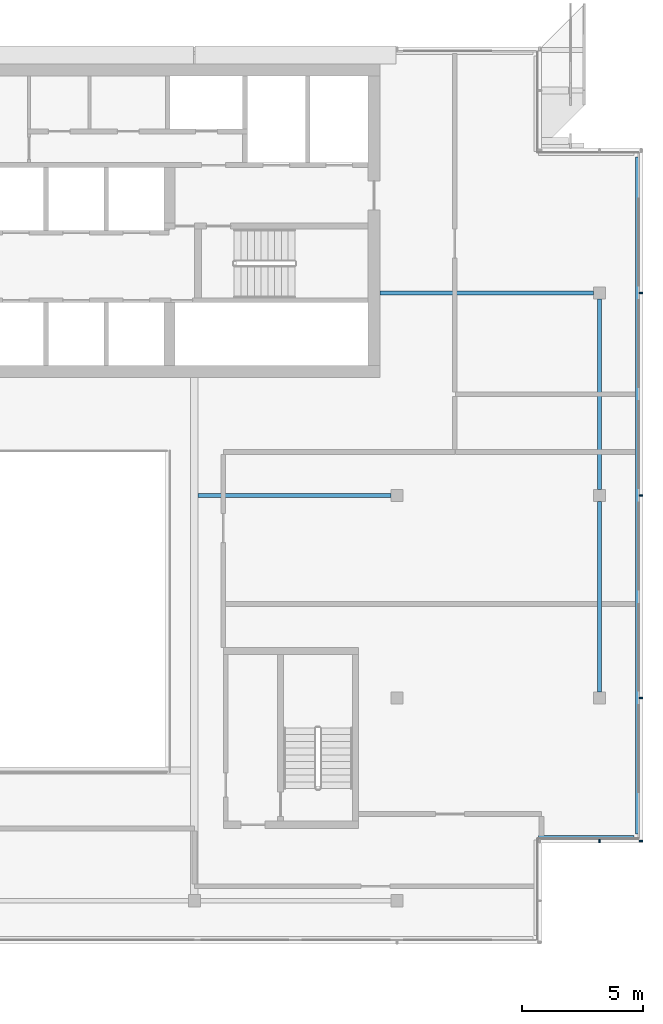
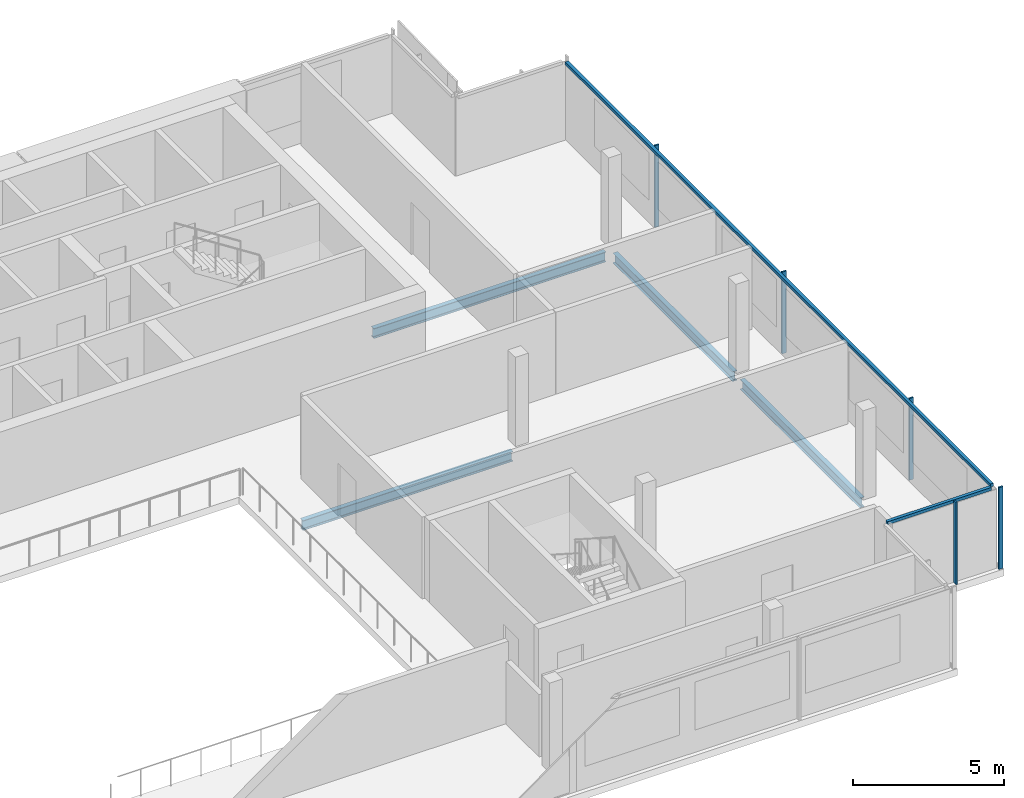
# One storey, part 6 of 19: 7 members, 4 beams, 2 elements without a shape of their own.
"""IFC4 building model written with IfcOpenShell, lengths in metres."""

from ifc_helpers import new_model, si_unit, direction, frame, origin, origin_2d, place, context, subcontext, project, spatial, rectangle, i_section, extrude, material, material_profile, profile_set, type_object, element, aggregate, save


model = new_model("IFC4")

# Units and contexts
model_context = context("Model", 3, precision=1e-05, world=origin(), true_north=direction((0.0, 1.0)))
body_context = subcontext(model_context, "Body", "Model", "MODEL_VIEW")
ifc_project = project(units=[si_unit("LENGTHUNIT", "METRE"), si_unit("AREAUNIT", "SQUARE_METRE"), si_unit("VOLUMEUNIT", "CUBIC_METRE"), si_unit("PLANEANGLEUNIT", "RADIAN"), si_unit("MASSUNIT", "GRAM", prefix="KILO")], contexts=[model_context])

# Site, building, storey
site_placement = place(None, origin())
site = spatial("IfcSite", under=ifc_project, at=site_placement, CompositionType="ELEMENT")
building_placement = place(site_placement, origin())
building = spatial("IfcBuilding", under=site, at=building_placement, Name="Saffron Gate Tower", CompositionType="ELEMENT")
storey_placement = place(building_placement, frame((0.0, 0.0, 306.75)))
storey = spatial("IfcBuildingStorey", under=building, at=storey_placement, Name="L75", CompositionType="ELEMENT", Elevation=306.75)

# Beams
ifc_material_1 = material(Name="Structural steel S355", Category="steel")
ifc_material_profile_1 = material_profile(ifc_material_1, i_section(OverallWidth=0.179931640625, OverallDepth=0.39990234375, WebThickness=0.008544921875, FlangeThickness=0.013427734375, FilletRadius=0.02099609375, at=origin_2d()))
ifc_profile_set_1 = profile_set([ifc_material_profile_1], Name="Structural steel S355")
beam_type_1 = type_object("IfcBeamType", Name="B4 IPE 400", PredefinedType="BEAM", material=ifc_profile_set_1)
beam_1_placement = place(storey_placement, frame((108.35009765625, 57.0, -0.47998046875), z_axis=(-1.0, 0.0, 0.0), x_axis=(0.0, -1.0, 0.0)))
element("IfcBeam", 1, at=beam_1_placement, inside=storey, type_object=beam_type_1, Name="B4 CORE TIE BEAM", PredefinedType="BEAM", context=body_context, shape_type="SweptSolid", body=[
    extrude(i_section(OverallWidth=0.179931640625, OverallDepth=0.39990234375, WebThickness=0.008544921875, FlangeThickness=0.013427734375, FilletRadius=0.02099609375, at=origin_2d()), origin(), (0.0, 0.0, 1.0), 8.0),
])
beam_2_placement = place(storey_placement, frame((116.75, 65.39990234375, -0.47998046875), z_axis=(-1.0, 0.0, 0.0), x_axis=(0.0, -1.0, 0.0)))
element("IfcBeam", 2, at=beam_2_placement, inside=storey, type_object=beam_type_1, Name="B4 CORE TIE BEAM", PredefinedType="BEAM", context=body_context, shape_type="SweptSolid", body=[
    extrude(i_section(OverallWidth=0.179931640625, OverallDepth=0.39990234375, WebThickness=0.008544921875, FlangeThickness=0.013427734375, FilletRadius=0.02099609375, at=origin_2d()), origin(), (0.0, 0.0, 1.0), 8.85009765625),
])
ifc_material_profile_2 = material_profile(ifc_material_1, i_section(OverallWidth=0.179931640625, OverallDepth=0.39990234375, WebThickness=0.008544921875, FlangeThickness=0.013427734375, FilletRadius=0.02099609375, at=origin_2d()))
ifc_profile_set_2 = profile_set([ifc_material_profile_2], Name="Structural steel S355")
beam_type_2 = type_object("IfcBeamType", Name="B5 IPE 400", PredefinedType="SPANDREL", material=ifc_profile_set_2)
for number, where, z_axis, x_axis, name in (
    (3, (117.0, 48.85009765625, -0.47998046875), (0.0, 1.0, 0.0), (-1.0, 0.0, 0.0), "B5 SPANDREL BEAM"),
    (4, (117.0, 57.25, -0.47998046875), (0.0, 1.0, 0.0), (-1.0, 0.0, 0.0), "B5 SPANDREL BEAM"),
):
    element("IfcBeam", number, at=place(storey_placement, frame(where, z_axis=z_axis, x_axis=x_axis)), inside=storey, type_object=beam_type_2, Name=name, PredefinedType="SPANDREL", context=body_context, shape_type="SweptSolid", body=[
        extrude(i_section(OverallWidth=0.179931640625, OverallDepth=0.39990234375, WebThickness=0.008544921875, FlangeThickness=0.013427734375, FilletRadius=0.02099609375, at=origin_2d()), origin(), (0.0, 0.0, 1.0), 7.89990234375),
    ])

# Curtain wall, members
ifc_material_2 = material(Name="Aluminium, bronze anodised", Category="aluminium")
curtain_wall_type_1 = type_object("IfcCurtainWallType", Name="CWS2 curtain wall side facades", PredefinedType="NOTDEFINED", material=ifc_material_2)
curtain_wall_1_placement = place(storey_placement, origin())
curtain_wall_1 = element("IfcCurtainWall", 5, at=curtain_wall_1_placement, inside=storey, type_object=curtain_wall_type_1, Name="CWS2 run 4", PredefinedType="NOTDEFINED")
ifc_material_profile_3 = material_profile(ifc_material_2, rectangle(XDim=0.1201171875, YDim=0.1201171875, at=origin_2d()))
ifc_profile_set_3 = profile_set([ifc_material_profile_3], Name="Aluminium, bronze anodised")
member_type_1 = type_object("IfcMemberType", Name="CWS2 head transom", PredefinedType="USERDEFINED", material=ifc_profile_set_3)
member_1_placement = place(storey_placement, frame((118.552001953125, 42.968017578125, 3.239990234375), z_axis=(0.0, 1.0, 0.0), x_axis=(-1.0, 0.0, 0.0)))
member_1 = element("IfcMember", 6, at=member_1_placement, type_object=member_type_1, Name="CWS2 head transom", ObjectType="TRANSOM", PredefinedType="USERDEFINED", context=body_context, shape_type="SweptSolid", body=[
    extrude(rectangle(XDim=0.1201171875, YDim=0.1201171875, at=origin_2d()), origin(), (0.0, 0.0, 1.0), 28.06396484375),
])
ifc_material_profile_4 = material_profile(ifc_material_2, rectangle(XDim=0.159912109375, YDim=0.06005859375, at=origin_2d()))
ifc_profile_set_4 = profile_set([ifc_material_profile_4], Name="Aluminium, bronze anodised")
member_type_2 = type_object("IfcMemberType", Name="CWS2 mullion 60x160", PredefinedType="MULLION", material=ifc_profile_set_4)
member_2_placement = place(storey_placement, frame((118.719970703125, 42.679931640625, 0.0), z_axis=(0.0, 0.0, 1.0), x_axis=(-1.0, 0.0, 0.0)))
member_2 = element("IfcMember", 7, at=member_2_placement, type_object=member_type_2, Name="CWS2 mullion 1", PredefinedType="MULLION", context=body_context, shape_type="SweptSolid", body=[
    extrude(rectangle(XDim=0.159912109375, YDim=0.06005859375, at=origin_2d()), origin(), (0.0, 0.0, 1.0), 3.300048828125),
])
member_3_placement = place(storey_placement, frame((118.719970703125, 48.60009765625, 0.0), z_axis=(0.0, 0.0, 1.0), x_axis=(-1.0, 0.0, 0.0)))
member_3 = element("IfcMember", 8, at=member_3_placement, type_object=member_type_2, Name="CWS2 mullion 2", PredefinedType="MULLION", context=body_context, shape_type="SweptSolid", body=[
    extrude(rectangle(XDim=0.159912109375, YDim=0.06005859375, at=origin_2d()), origin(), (0.0, 0.0, 1.0), 3.300048828125),
])
member_4_placement = place(storey_placement, frame((118.719970703125, 57.0, 0.0), z_axis=(0.0, 0.0, 1.0), x_axis=(-1.0, 0.0, 0.0)))
member_4 = element("IfcMember", 9, at=member_4_placement, type_object=member_type_2, Name="CWS2 mullion 3", PredefinedType="MULLION", context=body_context, shape_type="SweptSolid", body=[
    extrude(rectangle(XDim=0.159912109375, YDim=0.06005859375, at=origin_2d()), origin(), (0.0, 0.0, 1.0), 3.300048828125),
])
member_5_placement = place(storey_placement, frame((118.719970703125, 65.39990234375, 0.0), z_axis=(0.0, 0.0, 1.0), x_axis=(-1.0, 0.0, 0.0)))
member_5 = element("IfcMember", 10, at=member_5_placement, type_object=member_type_2, Name="CWS2 mullion 4", PredefinedType="MULLION", context=body_context, shape_type="SweptSolid", body=[
    extrude(rectangle(XDim=0.159912109375, YDim=0.06005859375, at=origin_2d()), origin(), (0.0, 0.0, 1.0), 3.300048828125),
])
aggregate(curtain_wall_1, [member_2, member_3, member_4, member_5, member_1])

curtain_wall_type_2 = type_object("IfcCurtainWallType", Name="CWS4 curtain wall corner returns", PredefinedType="NOTDEFINED", material=ifc_material_2)
curtain_wall_2_placement = place(storey_placement, origin())
curtain_wall_2 = element("IfcCurtainWall", 11, at=curtain_wall_2_placement, inside=storey, type_object=curtain_wall_type_2, Name="CWS4 run 3", PredefinedType="NOTDEFINED")
ifc_material_profile_5 = material_profile(ifc_material_2, rectangle(XDim=0.1201171875, YDim=0.1201171875, at=origin_2d()))
ifc_profile_set_5 = profile_set([ifc_material_profile_5], Name="Aluminium, bronze anodised")
member_type_3 = type_object("IfcMemberType", Name="CWS4 head transom", PredefinedType="USERDEFINED", material=ifc_profile_set_5)
member_6_placement = place(storey_placement, frame((114.471923828125, 42.847900390625, 3.239990234375), z_axis=(1.0, 0.0, 0.0), x_axis=(0.0, 1.0, 0.0)))
member_6 = element("IfcMember", 12, at=member_6_placement, type_object=member_type_3, Name="CWS4 head transom", ObjectType="TRANSOM", PredefinedType="USERDEFINED", context=body_context, shape_type="SweptSolid", body=[
    extrude(rectangle(XDim=0.1201171875, YDim=0.1201171875, at=origin_2d()), origin(), (0.0, 0.0, 1.0), 3.9599609375),
])
ifc_material_profile_6 = material_profile(ifc_material_2, rectangle(XDim=0.159912109375, YDim=0.06005859375, at=origin_2d()))
ifc_profile_set_6 = profile_set([ifc_material_profile_6], Name="Aluminium, bronze anodised")
member_type_4 = type_object("IfcMemberType", Name="CWS4 mullion 60x160", PredefinedType="MULLION", material=ifc_profile_set_6)
member_7_placement = place(storey_placement, frame((117.0, 42.679931640625, 0.0), z_axis=(0.0, 0.0, 1.0), x_axis=(0.0, 1.0, 0.0)))
member_7 = element("IfcMember", 13, at=member_7_placement, type_object=member_type_4, Name="CWS4 mullion 2", PredefinedType="MULLION", context=body_context, shape_type="SweptSolid", body=[
    extrude(rectangle(XDim=0.159912109375, YDim=0.06005859375, at=origin_2d()), origin(), (0.0, 0.0, 1.0), 3.300048828125),
])
aggregate(curtain_wall_2, [member_7, member_6])

save(model, "model.ifc")
